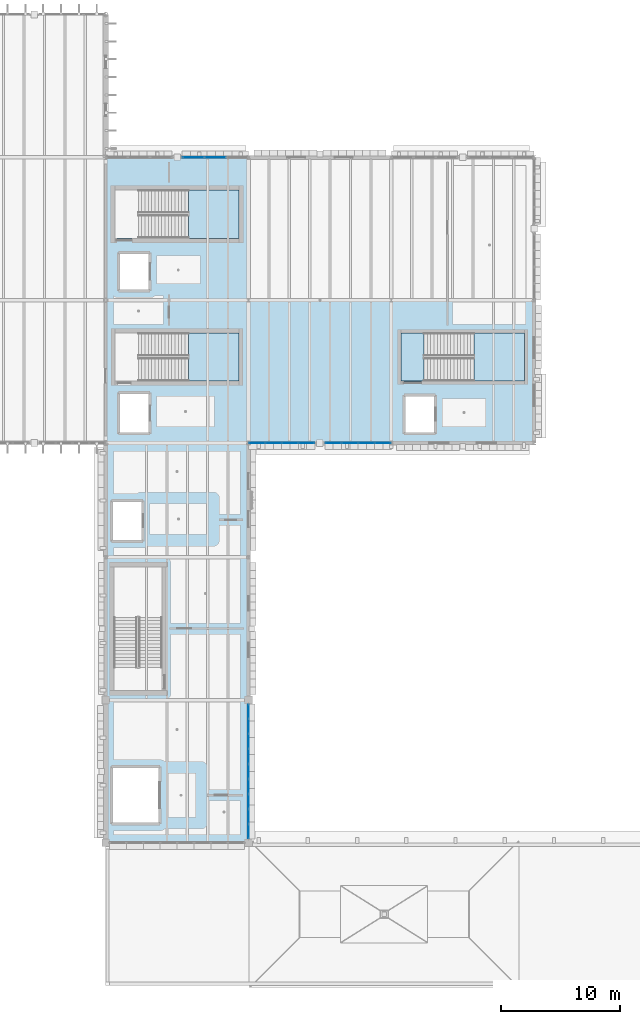
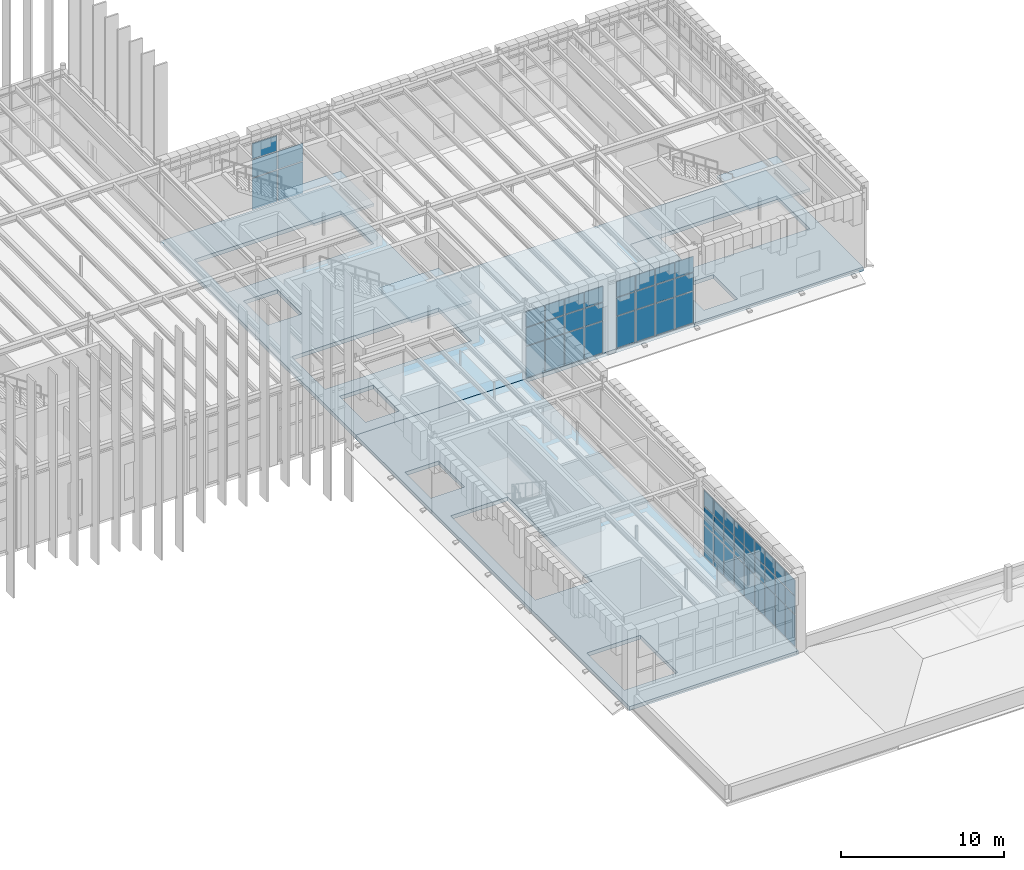
# One storey, part 42 of 83: 56 plates, 7 slabs, 7 elements without a shape of their own.
"""IFC4 building model written with IfcOpenShell, lengths in metres."""

from ifc_helpers import new_model, si_unit, direction, frame, origin, origin_2d, place, context, subcontext, project, spatial, polyline, rectangle, outline, extrude, material, layer, layer_set, type_object, element, aggregate, save


model = new_model("IFC4")

# Units and contexts
model_context = context("Model", 3, precision=1e-05, world=origin(), true_north=direction((0.0, 1.0)))
body_context = subcontext(model_context, "Body", "Model", "MODEL_VIEW")
ifc_project = project(units=[si_unit("LENGTHUNIT", "METRE"), si_unit("AREAUNIT", "SQUARE_METRE"), si_unit("VOLUMEUNIT", "CUBIC_METRE"), si_unit("PLANEANGLEUNIT", "RADIAN"), si_unit("MASSUNIT", "GRAM", prefix="KILO")], contexts=[model_context])

# Site, building, storey
site_placement = place(None, origin())
site = spatial("IfcSite", under=ifc_project, at=site_placement, CompositionType="ELEMENT")
building_placement = place(site_placement, origin())
building = spatial("IfcBuilding", under=site, at=building_placement, Name="Zlatogorsky Bluff Art Gallery", CompositionType="ELEMENT")
storey_placement = place(building_placement, frame((0.0, 0.0, 10.800048828125)))
storey = spatial("IfcBuildingStorey", under=building, at=storey_placement, Name="L02", CompositionType="ELEMENT", Elevation=10.800048828125)

# Curtain wall, plates
ifc_material_1 = material(Name="Anodised Bronze Aluminium and Low-Iron Triple Glazing", Category="aluminium")
ifc_layer_1 = layer(ifc_material_1, 0.179931640625)
ifc_layer_set_1 = layer_set([ifc_layer_1], Name="Curtain Wall CW-03")
curtain_wall_type_1 = type_object("IfcCurtainWallType", Name="Curtain Wall CW-03", PredefinedType="USERDEFINED", material=ifc_layer_set_1)
curtain_wall_1_placement = place(storey_placement, origin())
curtain_wall_1 = element("IfcCurtainWall", 1, at=curtain_wall_1_placement, inside=storey, type_object=curtain_wall_type_1, Name="Unitised curtain wall CW-03 L02 E 10.5", ObjectType="CURTAIN WALL", PredefinedType="USERDEFINED")
ifc_material_2 = material(Name="Low-Iron Laminated Triple Glazing", Category="glass")
ifc_layer_2 = layer(ifc_material_2, 0.035888671875)
ifc_layer_set_2 = layer_set([ifc_layer_2], Name="Glazed Curtain Panel CWP-01")
plate_type = type_object("IfcPlateType", Name="Glazed Curtain Panel CWP-01", PredefinedType="CURTAIN_PANEL", material=ifc_layer_set_2)
plate_1_placement = place(storey_placement, frame((132.0, 51.367431640625, 0.06494140625), z_axis=(0.0, 0.0, 1.0), x_axis=(0.0, 1.0, 0.0)))
plate_1 = element("IfcPlate", 2, at=plate_1_placement, type_object=plate_type, Name="CW-03 panel 1.1", PredefinedType="CURTAIN_PANEL", context=body_context, shape_type="SweptSolid", body=[
    extrude(rectangle(XDim=1.164794921875, YDim=0.035888671875, at=origin_2d()), origin(), (0.0, 0.0, 1.0), 2.3525390625),
])
plate_2_placement = place(storey_placement, frame((132.0, 51.367431640625, 2.482421875), z_axis=(0.0, 0.0, 1.0), x_axis=(0.0, 1.0, 0.0)))
plate_2 = element("IfcPlate", 3, at=plate_2_placement, type_object=plate_type, Name="CW-03 panel 1.2", PredefinedType="CURTAIN_PANEL", context=body_context, shape_type="SweptSolid", body=[
    extrude(rectangle(XDim=1.164794921875, YDim=0.035888671875, at=origin_2d()), origin(), (0.0, 0.0, 1.0), 1.3349609375),
])
plate_3_placement = place(storey_placement, frame((132.0, 51.367431640625, 3.88232421875), z_axis=(0.0, 0.0, 1.0), x_axis=(0.0, 1.0, 0.0)))
plate_3 = element("IfcPlate", 4, at=plate_3_placement, type_object=plate_type, Name="CW-03 panel 1.3", PredefinedType="CURTAIN_PANEL", context=body_context, shape_type="SweptSolid", body=[
    extrude(rectangle(XDim=1.164794921875, YDim=0.035888671875, at=origin_2d()), origin(), (0.0, 0.0, 1.0), 1.16259765625),
])
plate_4_placement = place(storey_placement, frame((132.0, 52.61328125, 0.06494140625), z_axis=(0.0, 0.0, 1.0), x_axis=(0.0, 1.0, 0.0)))
plate_4 = element("IfcPlate", 5, at=plate_4_placement, type_object=plate_type, Name="CW-03 panel 2.1", PredefinedType="CURTAIN_PANEL", context=body_context, shape_type="SweptSolid", body=[
    extrude(rectangle(XDim=1.197265625, YDim=0.035888671875, at=origin_2d()), origin(), (0.0, 0.0, 1.0), 2.3525390625),
])
plate_5_placement = place(storey_placement, frame((132.0, 52.61328125, 2.482421875), z_axis=(0.0, 0.0, 1.0), x_axis=(0.0, 1.0, 0.0)))
plate_5 = element("IfcPlate", 6, at=plate_5_placement, type_object=plate_type, Name="CW-03 panel 2.2", PredefinedType="CURTAIN_PANEL", context=body_context, shape_type="SweptSolid", body=[
    extrude(rectangle(XDim=1.197265625, YDim=0.035888671875, at=origin_2d()), origin(), (0.0, 0.0, 1.0), 1.3349609375),
])
plate_6_placement = place(storey_placement, frame((132.0, 52.61328125, 3.88232421875), z_axis=(0.0, 0.0, 1.0), x_axis=(0.0, 1.0, 0.0)))
plate_6 = element("IfcPlate", 7, at=plate_6_placement, type_object=plate_type, Name="CW-03 panel 2.3", PredefinedType="CURTAIN_PANEL", context=body_context, shape_type="SweptSolid", body=[
    extrude(rectangle(XDim=1.197265625, YDim=0.035888671875, at=origin_2d()), origin(), (0.0, 0.0, 1.0), 1.16259765625),
])
plate_7_placement = place(storey_placement, frame((132.0, 53.87548828125, 0.06494140625), z_axis=(0.0, 0.0, 1.0), x_axis=(0.0, 1.0, 0.0)))
plate_7 = element("IfcPlate", 8, at=plate_7_placement, type_object=plate_type, Name="CW-03 panel 3.1", PredefinedType="CURTAIN_PANEL", context=body_context, shape_type="SweptSolid", body=[
    extrude(rectangle(XDim=1.197265625, YDim=0.035888671875, at=origin_2d()), origin(), (0.0, 0.0, 1.0), 2.3525390625),
])
plate_8_placement = place(storey_placement, frame((132.0, 53.87548828125, 2.482421875), z_axis=(0.0, 0.0, 1.0), x_axis=(0.0, 1.0, 0.0)))
plate_8 = element("IfcPlate", 9, at=plate_8_placement, type_object=plate_type, Name="CW-03 panel 3.2", PredefinedType="CURTAIN_PANEL", context=body_context, shape_type="SweptSolid", body=[
    extrude(rectangle(XDim=1.197265625, YDim=0.035888671875, at=origin_2d()), origin(), (0.0, 0.0, 1.0), 1.3349609375),
])
plate_9_placement = place(storey_placement, frame((132.0, 53.87548828125, 3.88232421875), z_axis=(0.0, 0.0, 1.0), x_axis=(0.0, 1.0, 0.0)))
plate_9 = element("IfcPlate", 10, at=plate_9_placement, type_object=plate_type, Name="CW-03 panel 3.3", PredefinedType="CURTAIN_PANEL", context=body_context, shape_type="SweptSolid", body=[
    extrude(rectangle(XDim=1.197265625, YDim=0.035888671875, at=origin_2d()), origin(), (0.0, 0.0, 1.0), 1.16259765625),
])
plate_10_placement = place(storey_placement, frame((132.0, 55.1376953125, 0.06494140625), z_axis=(0.0, 0.0, 1.0), x_axis=(0.0, 1.0, 0.0)))
plate_10 = element("IfcPlate", 11, at=plate_10_placement, type_object=plate_type, Name="CW-03 panel 4.1", PredefinedType="CURTAIN_PANEL", context=body_context, shape_type="SweptSolid", body=[
    extrude(rectangle(XDim=1.197265625, YDim=0.035888671875, at=origin_2d()), origin(), (0.0, 0.0, 1.0), 2.3525390625),
])
plate_11_placement = place(storey_placement, frame((132.0, 55.1376953125, 2.482421875), z_axis=(0.0, 0.0, 1.0), x_axis=(0.0, 1.0, 0.0)))
plate_11 = element("IfcPlate", 12, at=plate_11_placement, type_object=plate_type, Name="CW-03 panel 4.2", PredefinedType="CURTAIN_PANEL", context=body_context, shape_type="SweptSolid", body=[
    extrude(rectangle(XDim=1.197265625, YDim=0.035888671875, at=origin_2d()), origin(), (0.0, 0.0, 1.0), 1.3349609375),
])
plate_12_placement = place(storey_placement, frame((132.0, 55.1376953125, 3.88232421875), z_axis=(0.0, 0.0, 1.0), x_axis=(0.0, 1.0, 0.0)))
plate_12 = element("IfcPlate", 13, at=plate_12_placement, type_object=plate_type, Name="CW-03 panel 4.3", PredefinedType="CURTAIN_PANEL", context=body_context, shape_type="SweptSolid", body=[
    extrude(rectangle(XDim=1.197265625, YDim=0.035888671875, at=origin_2d()), origin(), (0.0, 0.0, 1.0), 1.16259765625),
])
plate_13_placement = place(storey_placement, frame((132.0, 56.39990234375, 0.06494140625), z_axis=(0.0, 0.0, 1.0), x_axis=(0.0, 1.0, 0.0)))
plate_13 = element("IfcPlate", 14, at=plate_13_placement, type_object=plate_type, Name="CW-03 panel 5.1", PredefinedType="CURTAIN_PANEL", context=body_context, shape_type="SweptSolid", body=[
    extrude(rectangle(XDim=1.197265625, YDim=0.035888671875, at=origin_2d()), origin(), (0.0, 0.0, 1.0), 2.3525390625),
])
plate_14_placement = place(storey_placement, frame((132.0, 56.39990234375, 2.482421875), z_axis=(0.0, 0.0, 1.0), x_axis=(0.0, 1.0, 0.0)))
plate_14 = element("IfcPlate", 15, at=plate_14_placement, type_object=plate_type, Name="CW-03 panel 5.2", PredefinedType="CURTAIN_PANEL", context=body_context, shape_type="SweptSolid", body=[
    extrude(rectangle(XDim=1.197265625, YDim=0.035888671875, at=origin_2d()), origin(), (0.0, 0.0, 1.0), 1.3349609375),
])
plate_15_placement = place(storey_placement, frame((132.0, 56.39990234375, 3.88232421875), z_axis=(0.0, 0.0, 1.0), x_axis=(0.0, 1.0, 0.0)))
plate_15 = element("IfcPlate", 16, at=plate_15_placement, type_object=plate_type, Name="CW-03 panel 5.3", PredefinedType="CURTAIN_PANEL", context=body_context, shape_type="SweptSolid", body=[
    extrude(rectangle(XDim=1.197265625, YDim=0.035888671875, at=origin_2d()), origin(), (0.0, 0.0, 1.0), 1.16259765625),
])
plate_16_placement = place(storey_placement, frame((132.0, 57.662109375, 0.06494140625), z_axis=(0.0, 0.0, 1.0), x_axis=(0.0, 1.0, 0.0)))
plate_16 = element("IfcPlate", 17, at=plate_16_placement, type_object=plate_type, Name="CW-03 panel 6.1", PredefinedType="CURTAIN_PANEL", context=body_context, shape_type="SweptSolid", body=[
    extrude(rectangle(XDim=1.197265625, YDim=0.035888671875, at=origin_2d()), origin(), (0.0, 0.0, 1.0), 2.3525390625),
])
plate_17_placement = place(storey_placement, frame((132.0, 57.662109375, 2.482421875), z_axis=(0.0, 0.0, 1.0), x_axis=(0.0, 1.0, 0.0)))
plate_17 = element("IfcPlate", 18, at=plate_17_placement, type_object=plate_type, Name="CW-03 panel 6.2", PredefinedType="CURTAIN_PANEL", context=body_context, shape_type="SweptSolid", body=[
    extrude(rectangle(XDim=1.197265625, YDim=0.035888671875, at=origin_2d()), origin(), (0.0, 0.0, 1.0), 1.3349609375),
])
plate_18_placement = place(storey_placement, frame((132.0, 57.662109375, 3.88232421875), z_axis=(0.0, 0.0, 1.0), x_axis=(0.0, 1.0, 0.0)))
plate_18 = element("IfcPlate", 19, at=plate_18_placement, type_object=plate_type, Name="CW-03 panel 6.3", PredefinedType="CURTAIN_PANEL", context=body_context, shape_type="SweptSolid", body=[
    extrude(rectangle(XDim=1.197265625, YDim=0.035888671875, at=origin_2d()), origin(), (0.0, 0.0, 1.0), 1.16259765625),
])
plate_19_placement = place(storey_placement, frame((132.0, 58.924560546875, 0.06494140625), z_axis=(0.0, 0.0, 1.0), x_axis=(0.0, 1.0, 0.0)))
plate_19 = element("IfcPlate", 20, at=plate_19_placement, type_object=plate_type, Name="CW-03 panel 7.1", PredefinedType="CURTAIN_PANEL", context=body_context, shape_type="SweptSolid", body=[
    extrude(rectangle(XDim=1.197265625, YDim=0.035888671875, at=origin_2d()), origin(), (0.0, 0.0, 1.0), 2.3525390625),
])
plate_20_placement = place(storey_placement, frame((132.0, 58.924560546875, 2.482421875), z_axis=(0.0, 0.0, 1.0), x_axis=(0.0, 1.0, 0.0)))
plate_20 = element("IfcPlate", 21, at=plate_20_placement, type_object=plate_type, Name="CW-03 panel 7.2", PredefinedType="CURTAIN_PANEL", context=body_context, shape_type="SweptSolid", body=[
    extrude(rectangle(XDim=1.197265625, YDim=0.035888671875, at=origin_2d()), origin(), (0.0, 0.0, 1.0), 1.3349609375),
])
plate_21_placement = place(storey_placement, frame((132.0, 58.924560546875, 3.88232421875), z_axis=(0.0, 0.0, 1.0), x_axis=(0.0, 1.0, 0.0)))
plate_21 = element("IfcPlate", 22, at=plate_21_placement, type_object=plate_type, Name="CW-03 panel 7.3", PredefinedType="CURTAIN_PANEL", context=body_context, shape_type="SweptSolid", body=[
    extrude(rectangle(XDim=1.197265625, YDim=0.035888671875, at=origin_2d()), origin(), (0.0, 0.0, 1.0), 1.16259765625),
])
plate_22_placement = place(storey_placement, frame((132.0, 60.186767578125, 0.06494140625), z_axis=(0.0, 0.0, 1.0), x_axis=(0.0, 1.0, 0.0)))
plate_22 = element("IfcPlate", 23, at=plate_22_placement, type_object=plate_type, Name="CW-03 panel 8.1", PredefinedType="CURTAIN_PANEL", context=body_context, shape_type="SweptSolid", body=[
    extrude(rectangle(XDim=1.197265625, YDim=0.035888671875, at=origin_2d()), origin(), (0.0, 0.0, 1.0), 2.3525390625),
])
plate_23_placement = place(storey_placement, frame((132.0, 60.186767578125, 2.482421875), z_axis=(0.0, 0.0, 1.0), x_axis=(0.0, 1.0, 0.0)))
plate_23 = element("IfcPlate", 24, at=plate_23_placement, type_object=plate_type, Name="CW-03 panel 8.2", PredefinedType="CURTAIN_PANEL", context=body_context, shape_type="SweptSolid", body=[
    extrude(rectangle(XDim=1.197265625, YDim=0.035888671875, at=origin_2d()), origin(), (0.0, 0.0, 1.0), 1.3349609375),
])
plate_24_placement = place(storey_placement, frame((132.0, 60.186767578125, 3.88232421875), z_axis=(0.0, 0.0, 1.0), x_axis=(0.0, 1.0, 0.0)))
plate_24 = element("IfcPlate", 25, at=plate_24_placement, type_object=plate_type, Name="CW-03 panel 8.3", PredefinedType="CURTAIN_PANEL", context=body_context, shape_type="SweptSolid", body=[
    extrude(rectangle(XDim=1.197265625, YDim=0.035888671875, at=origin_2d()), origin(), (0.0, 0.0, 1.0), 1.16259765625),
])
plate_25_placement = place(storey_placement, frame((132.0, 61.4326171875, 0.06494140625), z_axis=(0.0, 0.0, 1.0), x_axis=(0.0, 1.0, 0.0)))
plate_25 = element("IfcPlate", 26, at=plate_25_placement, type_object=plate_type, Name="CW-03 panel 9.1", PredefinedType="CURTAIN_PANEL", context=body_context, shape_type="SweptSolid", body=[
    extrude(rectangle(XDim=1.164794921875, YDim=0.035888671875, at=origin_2d()), origin(), (0.0, 0.0, 1.0), 2.3525390625),
])
plate_26_placement = place(storey_placement, frame((132.0, 61.4326171875, 2.482421875), z_axis=(0.0, 0.0, 1.0), x_axis=(0.0, 1.0, 0.0)))
plate_26 = element("IfcPlate", 27, at=plate_26_placement, type_object=plate_type, Name="CW-03 panel 9.2", PredefinedType="CURTAIN_PANEL", context=body_context, shape_type="SweptSolid", body=[
    extrude(rectangle(XDim=1.164794921875, YDim=0.035888671875, at=origin_2d()), origin(), (0.0, 0.0, 1.0), 1.3349609375),
])
plate_27_placement = place(storey_placement, frame((132.0, 61.4326171875, 3.88232421875), z_axis=(0.0, 0.0, 1.0), x_axis=(0.0, 1.0, 0.0)))
plate_27 = element("IfcPlate", 28, at=plate_27_placement, type_object=plate_type, Name="CW-03 panel 9.3", PredefinedType="CURTAIN_PANEL", context=body_context, shape_type="SweptSolid", body=[
    extrude(rectangle(XDim=1.164794921875, YDim=0.035888671875, at=origin_2d()), origin(), (0.0, 0.0, 1.0), 1.16259765625),
])
aggregate(curtain_wall_1, [plate_1, plate_2, plate_3, plate_4, plate_5, plate_6, plate_7, plate_8, plate_9, plate_10, plate_11, plate_12, plate_13, plate_14, plate_15, plate_16, plate_17, plate_18, plate_19, plate_20, plate_21, plate_22, plate_23, plate_24, plate_25, plate_26, plate_27])

ifc_layer_3 = layer(ifc_material_1, 0.219970703125)
ifc_layer_set_3 = layer_set([ifc_layer_3], Name="Curtain Wall CW-04")
curtain_wall_type_2 = type_object("IfcCurtainWallType", Name="Curtain Wall CW-04", PredefinedType="USERDEFINED", material=ifc_layer_set_3)
curtain_wall_2_placement = place(storey_placement, origin())
curtain_wall_2 = element("IfcCurtainWall", 29, at=curtain_wall_2_placement, inside=storey, type_object=curtain_wall_type_2, Name="Unitised curtain wall CW-04 L02 N 10.9-A", ObjectType="CURTAIN WALL", PredefinedType="USERDEFINED")
plate_28_placement = place(storey_placement, frame((129.2099609375, 108.0, 0.06494140625), z_axis=(0.0, 0.0, 1.0), x_axis=(-1.0, 0.0, 0.0)))
plate_28 = element("IfcPlate", 30, at=plate_28_placement, type_object=plate_type, Name="CW-04 panel 2.1", PredefinedType="CURTAIN_PANEL", context=body_context, shape_type="SweptSolid", body=[
    extrude(rectangle(XDim=1.794921875, YDim=0.035888671875, at=origin_2d()), origin(), (0.0, 0.0, 1.0), 2.3525390625),
])
plate_29_placement = place(storey_placement, frame((129.2099609375, 108.0, 2.482421875), z_axis=(0.0, 0.0, 1.0), x_axis=(-1.0, 0.0, 0.0)))
plate_29 = element("IfcPlate", 31, at=plate_29_placement, type_object=plate_type, Name="CW-04 panel 2.2", PredefinedType="CURTAIN_PANEL", context=body_context, shape_type="SweptSolid", body=[
    extrude(rectangle(XDim=1.794921875, YDim=0.035888671875, at=origin_2d()), origin(), (0.0, 0.0, 1.0), 1.3349609375),
])
plate_30_placement = place(storey_placement, frame((127.3662109375, 108.0, 0.06494140625), z_axis=(0.0, 0.0, 1.0), x_axis=(-1.0, 0.0, 0.0)))
plate_30 = element("IfcPlate", 32, at=plate_30_placement, type_object=plate_type, Name="CW-04 panel 3.1", PredefinedType="CURTAIN_PANEL", context=body_context, shape_type="SweptSolid", body=[
    extrude(rectangle(XDim=1.762451171875, YDim=0.035888671875, at=origin_2d()), origin(), (0.0, 0.0, 1.0), 2.3525390625),
])
plate_31_placement = place(storey_placement, frame((127.3662109375, 108.0, 2.482421875), z_axis=(0.0, 0.0, 1.0), x_axis=(-1.0, 0.0, 0.0)))
plate_31 = element("IfcPlate", 33, at=plate_31_placement, type_object=plate_type, Name="CW-04 panel 3.2", PredefinedType="CURTAIN_PANEL", context=body_context, shape_type="SweptSolid", body=[
    extrude(rectangle(XDim=1.762451171875, YDim=0.035888671875, at=origin_2d()), origin(), (0.0, 0.0, 1.0), 1.3349609375),
])
plate_32_placement = place(storey_placement, frame((127.3662109375, 108.0, 3.88232421875), z_axis=(0.0, 0.0, 1.0), x_axis=(-1.0, 0.0, 0.0)))
plate_32 = element("IfcPlate", 34, at=plate_32_placement, type_object=plate_type, Name="CW-04 panel 3.3", PredefinedType="CURTAIN_PANEL", context=body_context, shape_type="SweptSolid", body=[
    extrude(rectangle(XDim=1.762451171875, YDim=0.035888671875, at=origin_2d()), origin(), (0.0, 0.0, 1.0), 1.16259765625),
])
aggregate(curtain_wall_2, [plate_28, plate_29, plate_30, plate_31, plate_32])

ifc_layer_4 = layer(ifc_material_1, 0.199951171875)
ifc_layer_set_4 = layer_set([ifc_layer_4], Name="Curtain Wall CW-02")
curtain_wall_type_3 = type_object("IfcCurtainWallType", Name="Curtain Wall CW-02", PredefinedType="USERDEFINED", material=ifc_layer_set_4)
curtain_wall_3_placement = place(storey_placement, origin())
curtain_wall_3 = element("IfcCurtainWall", 35, at=curtain_wall_3_placement, inside=storey, type_object=curtain_wall_type_3, Name="Unitised curtain wall CW-02 L02 S 11.8-A", ObjectType="CURTAIN WALL", PredefinedType="USERDEFINED")
plate_33_placement = place(storey_placement, frame((132.7138671875, 84.0, 0.06494140625), z_axis=(0.0, 0.0, 1.0), x_axis=(1.0, 0.0, 0.0)))
plate_33 = element("IfcPlate", 36, at=plate_33_placement, type_object=plate_type, Name="CW-02 panel 1.1", PredefinedType="CURTAIN_PANEL", context=body_context, shape_type="SweptSolid", body=[
    extrude(rectangle(XDim=1.297607421875, YDim=0.035888671875, at=origin_2d()), origin(), (0.0, 0.0, 1.0), 2.3525390625),
])
plate_34_placement = place(storey_placement, frame((132.7138671875, 84.0, 2.482421875), z_axis=(0.0, 0.0, 1.0), x_axis=(1.0, 0.0, 0.0)))
plate_34 = element("IfcPlate", 37, at=plate_34_placement, type_object=plate_type, Name="CW-02 panel 1.2", PredefinedType="CURTAIN_PANEL", context=body_context, shape_type="SweptSolid", body=[
    extrude(rectangle(XDim=1.297607421875, YDim=0.035888671875, at=origin_2d()), origin(), (0.0, 0.0, 1.0), 1.3349609375),
])
plate_35_placement = place(storey_placement, frame((132.7138671875, 84.0, 3.88232421875), z_axis=(0.0, 0.0, 1.0), x_axis=(1.0, 0.0, 0.0)))
plate_35 = element("IfcPlate", 38, at=plate_35_placement, type_object=plate_type, Name="CW-02 panel 1.3", PredefinedType="CURTAIN_PANEL", context=body_context, shape_type="SweptSolid", body=[
    extrude(rectangle(XDim=1.297607421875, YDim=0.035888671875, at=origin_2d()), origin(), (0.0, 0.0, 1.0), 1.16259765625),
])
plate_36_placement = place(storey_placement, frame((134.092529296875, 84.0, 0.06494140625), z_axis=(0.0, 0.0, 1.0), x_axis=(1.0, 0.0, 0.0)))
plate_36 = element("IfcPlate", 39, at=plate_36_placement, type_object=plate_type, Name="CW-02 panel 2.1", PredefinedType="CURTAIN_PANEL", context=body_context, shape_type="SweptSolid", body=[
    extrude(rectangle(XDim=1.330078125, YDim=0.035888671875, at=origin_2d()), origin(), (0.0, 0.0, 1.0), 2.3525390625),
])
plate_37_placement = place(storey_placement, frame((134.092529296875, 84.0, 2.482421875), z_axis=(0.0, 0.0, 1.0), x_axis=(1.0, 0.0, 0.0)))
plate_37 = element("IfcPlate", 40, at=plate_37_placement, type_object=plate_type, Name="CW-02 panel 2.2", PredefinedType="CURTAIN_PANEL", context=body_context, shape_type="SweptSolid", body=[
    extrude(rectangle(XDim=1.330078125, YDim=0.035888671875, at=origin_2d()), origin(), (0.0, 0.0, 1.0), 1.3349609375),
])
plate_38_placement = place(storey_placement, frame((134.092529296875, 84.0, 3.88232421875), z_axis=(0.0, 0.0, 1.0), x_axis=(1.0, 0.0, 0.0)))
plate_38 = element("IfcPlate", 41, at=plate_38_placement, type_object=plate_type, Name="CW-02 panel 2.3", PredefinedType="CURTAIN_PANEL", context=body_context, shape_type="SweptSolid", body=[
    extrude(rectangle(XDim=1.330078125, YDim=0.035888671875, at=origin_2d()), origin(), (0.0, 0.0, 1.0), 1.16259765625),
])
plate_39_placement = place(storey_placement, frame((135.487548828125, 84.0, 0.06494140625), z_axis=(0.0, 0.0, 1.0), x_axis=(1.0, 0.0, 0.0)))
plate_39 = element("IfcPlate", 42, at=plate_39_placement, type_object=plate_type, Name="CW-02 panel 3.1", PredefinedType="CURTAIN_PANEL", context=body_context, shape_type="SweptSolid", body=[
    extrude(rectangle(XDim=1.330078125, YDim=0.035888671875, at=origin_2d()), origin(), (0.0, 0.0, 1.0), 2.3525390625),
])
plate_40_placement = place(storey_placement, frame((135.487548828125, 84.0, 2.482421875), z_axis=(0.0, 0.0, 1.0), x_axis=(1.0, 0.0, 0.0)))
plate_40 = element("IfcPlate", 43, at=plate_40_placement, type_object=plate_type, Name="CW-02 panel 3.2", PredefinedType="CURTAIN_PANEL", context=body_context, shape_type="SweptSolid", body=[
    extrude(rectangle(XDim=1.330078125, YDim=0.035888671875, at=origin_2d()), origin(), (0.0, 0.0, 1.0), 1.3349609375),
])
plate_41_placement = place(storey_placement, frame((135.487548828125, 84.0, 3.88232421875), z_axis=(0.0, 0.0, 1.0), x_axis=(1.0, 0.0, 0.0)))
plate_41 = element("IfcPlate", 44, at=plate_41_placement, type_object=plate_type, Name="CW-02 panel 3.3", PredefinedType="CURTAIN_PANEL", context=body_context, shape_type="SweptSolid", body=[
    extrude(rectangle(XDim=1.330078125, YDim=0.035888671875, at=origin_2d()), origin(), (0.0, 0.0, 1.0), 1.16259765625),
])
plate_42_placement = place(storey_placement, frame((136.8662109375, 84.0, 0.06494140625), z_axis=(0.0, 0.0, 1.0), x_axis=(1.0, 0.0, 0.0)))
plate_42 = element("IfcPlate", 45, at=plate_42_placement, type_object=plate_type, Name="CW-02 panel 4.1", PredefinedType="CURTAIN_PANEL", context=body_context, shape_type="SweptSolid", body=[
    extrude(rectangle(XDim=1.297607421875, YDim=0.035888671875, at=origin_2d()), origin(), (0.0, 0.0, 1.0), 2.3525390625),
])
plate_43_placement = place(storey_placement, frame((136.8662109375, 84.0, 2.482421875), z_axis=(0.0, 0.0, 1.0), x_axis=(1.0, 0.0, 0.0)))
plate_43 = element("IfcPlate", 46, at=plate_43_placement, type_object=plate_type, Name="CW-02 panel 4.2", PredefinedType="CURTAIN_PANEL", context=body_context, shape_type="SweptSolid", body=[
    extrude(rectangle(XDim=1.297607421875, YDim=0.035888671875, at=origin_2d()), origin(), (0.0, 0.0, 1.0), 1.3349609375),
])
plate_44_placement = place(storey_placement, frame((136.8662109375, 84.0, 3.88232421875), z_axis=(0.0, 0.0, 1.0), x_axis=(1.0, 0.0, 0.0)))
plate_44 = element("IfcPlate", 47, at=plate_44_placement, type_object=plate_type, Name="CW-02 panel 4.3", PredefinedType="CURTAIN_PANEL", context=body_context, shape_type="SweptSolid", body=[
    extrude(rectangle(XDim=1.297607421875, YDim=0.035888671875, at=origin_2d()), origin(), (0.0, 0.0, 1.0), 1.16259765625),
])
aggregate(curtain_wall_3, [plate_33, plate_34, plate_35, plate_36, plate_37, plate_38, plate_39, plate_40, plate_41, plate_42, plate_43, plate_44])

curtain_wall_4_placement = place(storey_placement, origin())
curtain_wall_4 = element("IfcCurtainWall", 48, at=curtain_wall_4_placement, inside=storey, type_object=curtain_wall_type_3, Name="Unitised curtain wall CW-02 L02 S 11.8-B", ObjectType="CURTAIN WALL", PredefinedType="USERDEFINED")
plate_45_placement = place(storey_placement, frame((139.1337890625, 84.0, 0.06494140625), z_axis=(0.0, 0.0, 1.0), x_axis=(1.0, 0.0, 0.0)))
plate_45 = element("IfcPlate", 49, at=plate_45_placement, type_object=plate_type, Name="CW-02 panel 1.1", PredefinedType="CURTAIN_PANEL", context=body_context, shape_type="SweptSolid", body=[
    extrude(rectangle(XDim=1.297607421875, YDim=0.035888671875, at=origin_2d()), origin(), (0.0, 0.0, 1.0), 2.3525390625),
])
plate_46_placement = place(storey_placement, frame((139.1337890625, 84.0, 2.482421875), z_axis=(0.0, 0.0, 1.0), x_axis=(1.0, 0.0, 0.0)))
plate_46 = element("IfcPlate", 50, at=plate_46_placement, type_object=plate_type, Name="CW-02 panel 1.2", PredefinedType="CURTAIN_PANEL", context=body_context, shape_type="SweptSolid", body=[
    extrude(rectangle(XDim=1.297607421875, YDim=0.035888671875, at=origin_2d()), origin(), (0.0, 0.0, 1.0), 1.3349609375),
])
plate_47_placement = place(storey_placement, frame((139.1337890625, 84.0, 3.88232421875), z_axis=(0.0, 0.0, 1.0), x_axis=(1.0, 0.0, 0.0)))
plate_47 = element("IfcPlate", 51, at=plate_47_placement, type_object=plate_type, Name="CW-02 panel 1.3", PredefinedType="CURTAIN_PANEL", context=body_context, shape_type="SweptSolid", body=[
    extrude(rectangle(XDim=1.297607421875, YDim=0.035888671875, at=origin_2d()), origin(), (0.0, 0.0, 1.0), 1.16259765625),
])
plate_48_placement = place(storey_placement, frame((140.512451171875, 84.0, 0.06494140625), z_axis=(0.0, 0.0, 1.0), x_axis=(1.0, 0.0, 0.0)))
plate_48 = element("IfcPlate", 52, at=plate_48_placement, type_object=plate_type, Name="CW-02 panel 2.1", PredefinedType="CURTAIN_PANEL", context=body_context, shape_type="SweptSolid", body=[
    extrude(rectangle(XDim=1.330078125, YDim=0.035888671875, at=origin_2d()), origin(), (0.0, 0.0, 1.0), 2.3525390625),
])
plate_49_placement = place(storey_placement, frame((140.512451171875, 84.0, 2.482421875), z_axis=(0.0, 0.0, 1.0), x_axis=(1.0, 0.0, 0.0)))
plate_49 = element("IfcPlate", 53, at=plate_49_placement, type_object=plate_type, Name="CW-02 panel 2.2", PredefinedType="CURTAIN_PANEL", context=body_context, shape_type="SweptSolid", body=[
    extrude(rectangle(XDim=1.330078125, YDim=0.035888671875, at=origin_2d()), origin(), (0.0, 0.0, 1.0), 1.3349609375),
])
plate_50_placement = place(storey_placement, frame((140.512451171875, 84.0, 3.88232421875), z_axis=(0.0, 0.0, 1.0), x_axis=(1.0, 0.0, 0.0)))
plate_50 = element("IfcPlate", 54, at=plate_50_placement, type_object=plate_type, Name="CW-02 panel 2.3", PredefinedType="CURTAIN_PANEL", context=body_context, shape_type="SweptSolid", body=[
    extrude(rectangle(XDim=1.330078125, YDim=0.035888671875, at=origin_2d()), origin(), (0.0, 0.0, 1.0), 1.16259765625),
])
plate_51_placement = place(storey_placement, frame((141.907470703125, 84.0, 0.06494140625), z_axis=(0.0, 0.0, 1.0), x_axis=(1.0, 0.0, 0.0)))
plate_51 = element("IfcPlate", 55, at=plate_51_placement, type_object=plate_type, Name="CW-02 panel 3.1", PredefinedType="CURTAIN_PANEL", context=body_context, shape_type="SweptSolid", body=[
    extrude(rectangle(XDim=1.330078125, YDim=0.035888671875, at=origin_2d()), origin(), (0.0, 0.0, 1.0), 2.3525390625),
])
plate_52_placement = place(storey_placement, frame((141.907470703125, 84.0, 2.482421875), z_axis=(0.0, 0.0, 1.0), x_axis=(1.0, 0.0, 0.0)))
plate_52 = element("IfcPlate", 56, at=plate_52_placement, type_object=plate_type, Name="CW-02 panel 3.2", PredefinedType="CURTAIN_PANEL", context=body_context, shape_type="SweptSolid", body=[
    extrude(rectangle(XDim=1.330078125, YDim=0.035888671875, at=origin_2d()), origin(), (0.0, 0.0, 1.0), 1.3349609375),
])
plate_53_placement = place(storey_placement, frame((141.907470703125, 84.0, 3.88232421875), z_axis=(0.0, 0.0, 1.0), x_axis=(1.0, 0.0, 0.0)))
plate_53 = element("IfcPlate", 57, at=plate_53_placement, type_object=plate_type, Name="CW-02 panel 3.3", PredefinedType="CURTAIN_PANEL", context=body_context, shape_type="SweptSolid", body=[
    extrude(rectangle(XDim=1.330078125, YDim=0.035888671875, at=origin_2d()), origin(), (0.0, 0.0, 1.0), 1.16259765625),
])
plate_54_placement = place(storey_placement, frame((143.2861328125, 84.0, 0.06494140625), z_axis=(0.0, 0.0, 1.0), x_axis=(1.0, 0.0, 0.0)))
plate_54 = element("IfcPlate", 58, at=plate_54_placement, type_object=plate_type, Name="CW-02 panel 4.1", PredefinedType="CURTAIN_PANEL", context=body_context, shape_type="SweptSolid", body=[
    extrude(rectangle(XDim=1.297607421875, YDim=0.035888671875, at=origin_2d()), origin(), (0.0, 0.0, 1.0), 2.3525390625),
])
plate_55_placement = place(storey_placement, frame((143.2861328125, 84.0, 2.482421875), z_axis=(0.0, 0.0, 1.0), x_axis=(1.0, 0.0, 0.0)))
plate_55 = element("IfcPlate", 59, at=plate_55_placement, type_object=plate_type, Name="CW-02 panel 4.2", PredefinedType="CURTAIN_PANEL", context=body_context, shape_type="SweptSolid", body=[
    extrude(rectangle(XDim=1.297607421875, YDim=0.035888671875, at=origin_2d()), origin(), (0.0, 0.0, 1.0), 1.3349609375),
])
plate_56_placement = place(storey_placement, frame((143.2861328125, 84.0, 3.88232421875), z_axis=(0.0, 0.0, 1.0), x_axis=(1.0, 0.0, 0.0)))
plate_56 = element("IfcPlate", 60, at=plate_56_placement, type_object=plate_type, Name="CW-02 panel 4.3", PredefinedType="CURTAIN_PANEL", context=body_context, shape_type="SweptSolid", body=[
    extrude(rectangle(XDim=1.297607421875, YDim=0.035888671875, at=origin_2d()), origin(), (0.0, 0.0, 1.0), 1.16259765625),
])
aggregate(curtain_wall_4, [plate_45, plate_46, plate_47, plate_48, plate_49, plate_50, plate_51, plate_52, plate_53, plate_54, plate_55, plate_56])

# Slabs
ifc_material_3 = material(Name="Concrete C30/37", Category="concrete")
ifc_layer_5 = layer(ifc_material_3, 0.2900390625)
ifc_layer_set_5 = layer_set([ifc_layer_5], Name="Slab SL-02 290mm")
slab_type_1 = type_object("IfcSlabType", Name="Slab SL-02 290mm", PredefinedType="FLOOR", material=ifc_layer_set_5)
slab_1_placement = place(storey_placement, frame((0.0, 0.0, -0.2900390625)))
element("IfcSlab", 61, at=slab_1_placement, inside=storey, type_object=slab_type_1, Name="L02 structural floor slab panel 11", PredefinedType="FLOOR", context=body_context, shape_type="SweptSolid", body=[
    extrude(outline(polyline([(120.0, 50.39990234375), (120.0, 62.39990234375), (120.0, 74.39990234375), (120.0, 84.0), (132.0, 84.0), (132.0, 74.39990234375), (132.0, 62.39990234375), (132.0, 50.39990234375), (120.0, 50.39990234375)]), holes=[polyline([(120.6201171875, 79.050048828125), (120.6201171875, 75.85009765625), (123.02001953125, 75.85009765625), (123.02001953125, 79.050048828125), (120.6201171875, 79.050048828125)]), polyline([(124.419921875, 56.699951171875), (120.6201171875, 56.699951171875), (120.6201171875, 52.10009765625), (124.419921875, 52.10009765625), (124.419921875, 56.699951171875)]), polyline([(124.75, 73.60009765625), (120.699951171875, 73.60009765625), (120.699951171875, 63.199951171875), (124.75, 63.199951171875), (124.75, 73.60009765625)])]), origin(), (0.0, 0.0, 1.0), 0.2900390625),
])
slab_2_placement = place(storey_placement, frame((0.0, 0.0, -0.2900390625)))
element("IfcSlab", 62, at=slab_2_placement, inside=storey, type_object=slab_type_1, Name="L02 structural floor slab panel 12", PredefinedType="FLOOR", context=body_context, shape_type="SweptSolid", body=[
    extrude(outline(polyline([(120.0, 96.0), (120.0, 108.0), (132.0, 108.0), (132.0, 96.0), (144.0, 96.0), (144.0, 84.0), (132.0, 84.0), (120.0, 84.0), (120.0, 96.0)]), holes=[polyline([(123.60009765625, 88.10009765625), (121.199951171875, 88.10009765625), (121.199951171875, 84.89990234375), (123.60009765625, 84.89990234375), (123.60009765625, 88.10009765625)]), polyline([(123.60009765625, 99.89990234375), (121.199951171875, 99.89990234375), (121.199951171875, 96.89990234375), (123.60009765625, 96.89990234375), (123.60009765625, 99.89990234375)]), polyline([(131.199951171875, 89.199951171875), (131.199951171875, 93.25), (120.800048828125, 93.25), (120.800048828125, 89.199951171875), (131.199951171875, 89.199951171875)]), polyline([(131.199951171875, 101.199951171875), (131.199951171875, 105.25), (120.800048828125, 105.25), (120.800048828125, 101.199951171875), (131.199951171875, 101.199951171875)])]), origin(), (0.0, 0.0, 1.0), 0.2900390625),
])
slab_3_placement = place(storey_placement, frame((0.0, 0.0, -0.2900390625)))
element("IfcSlab", 63, at=slab_3_placement, inside=storey, type_object=slab_type_1, Name="L02 structural floor slab panel 14", PredefinedType="FLOOR", context=body_context, shape_type="SweptSolid", body=[
    extrude(outline(polyline([(144.0, 84.0), (144.0, 96.0), (156.0, 96.0), (156.0, 84.0), (144.0, 84.0)]), holes=[polyline([(147.60009765625, 87.89990234375), (145.199951171875, 87.89990234375), (145.199951171875, 84.89990234375), (147.60009765625, 84.89990234375), (147.60009765625, 87.89990234375)]), polyline([(155.199951171875, 89.199951171875), (155.199951171875, 93.25), (144.800048828125, 93.25), (144.800048828125, 89.199951171875), (155.199951171875, 89.199951171875)])]), origin(), (0.0, 0.0, 1.0), 0.2900390625),
])
slab_4_placement = place(storey_placement, frame((0.0, 0.0, -0.2900390625)))
element("IfcSlab", 64, at=slab_4_placement, inside=storey, type_object=slab_type_1, Name="L02 stair ST-04 structural floor landing slab", PredefinedType="FLOOR", context=body_context, shape_type="SweptSolid", body=[
    extrude(outline(polyline([(144.800048828125, 89.199951171875), (146.75, 89.199951171875), (146.75, 93.25), (144.800048828125, 93.25), (144.800048828125, 89.199951171875)])), origin(), (0.0, 0.0, 1.0), 0.2900390625),
])

# Stair, slab
stair_type = type_object("IfcStairType", Name="Protected Dogleg Stair ST-T6", PredefinedType="HALF_TURN_STAIR", material=ifc_material_3)
stair_1_placement = place(storey_placement, origin())
stair_1 = element("IfcStair", 65, at=stair_1_placement, inside=storey, type_object=stair_type, Name="L02 Protected Exit Stair ST-02", PredefinedType="HALF_TURN_STAIR")
ifc_layer_6 = layer(ifc_material_3, 0.199951171875)
ifc_layer_set_6 = layer_set([ifc_layer_6], Name="Stair Half-Landing 200mm")
slab_type_2 = type_object("IfcSlabType", Name="Stair Half-Landing 200mm", PredefinedType="LANDING", material=ifc_layer_set_6)
slab_5_placement = place(storey_placement, frame((0.0, 0.0, 2.800048828125)))
slab_5 = element("IfcSlab", 66, at=slab_5_placement, type_object=slab_type_2, Name="ST-02 landing 1", PredefinedType="LANDING", context=body_context, shape_type="SweptSolid", body=[
    extrude(outline(polyline([(126.949951171875, 89.199951171875), (131.199951171875, 89.199951171875), (131.199951171875, 93.25), (126.949951171875, 93.25), (126.949951171875, 89.199951171875)])), origin(), (0.0, 0.0, 1.0), 0.199951171875),
])
aggregate(stair_1, [slab_5])

stair_2_placement = place(storey_placement, origin())
stair_2 = element("IfcStair", 67, at=stair_2_placement, inside=storey, type_object=stair_type, Name="L02 Protected Exit Stair ST-03", PredefinedType="HALF_TURN_STAIR")
slab_6_placement = place(storey_placement, frame((0.0, 0.0, 2.800048828125)))
slab_6 = element("IfcSlab", 68, at=slab_6_placement, type_object=slab_type_2, Name="ST-03 landing 1", PredefinedType="LANDING", context=body_context, shape_type="SweptSolid", body=[
    extrude(outline(polyline([(126.949951171875, 101.199951171875), (131.199951171875, 101.199951171875), (131.199951171875, 105.25), (126.949951171875, 105.25), (126.949951171875, 101.199951171875)])), origin(), (0.0, 0.0, 1.0), 0.199951171875),
])
aggregate(stair_2, [slab_6])

stair_3_placement = place(storey_placement, origin())
stair_3 = element("IfcStair", 69, at=stair_3_placement, inside=storey, type_object=stair_type, Name="L02 Protected Exit Stair ST-04", PredefinedType="HALF_TURN_STAIR")
slab_7_placement = place(storey_placement, frame((0.0, 0.0, 2.800048828125)))
slab_7 = element("IfcSlab", 70, at=slab_7_placement, type_object=slab_type_2, Name="ST-04 landing 1", PredefinedType="LANDING", context=body_context, shape_type="SweptSolid", body=[
    extrude(outline(polyline([(150.949951171875, 89.199951171875), (155.199951171875, 89.199951171875), (155.199951171875, 93.25), (150.949951171875, 93.25), (150.949951171875, 89.199951171875)])), origin(), (0.0, 0.0, 1.0), 0.199951171875),
])
aggregate(stair_3, [slab_7])

save(model, "model.ifc")
